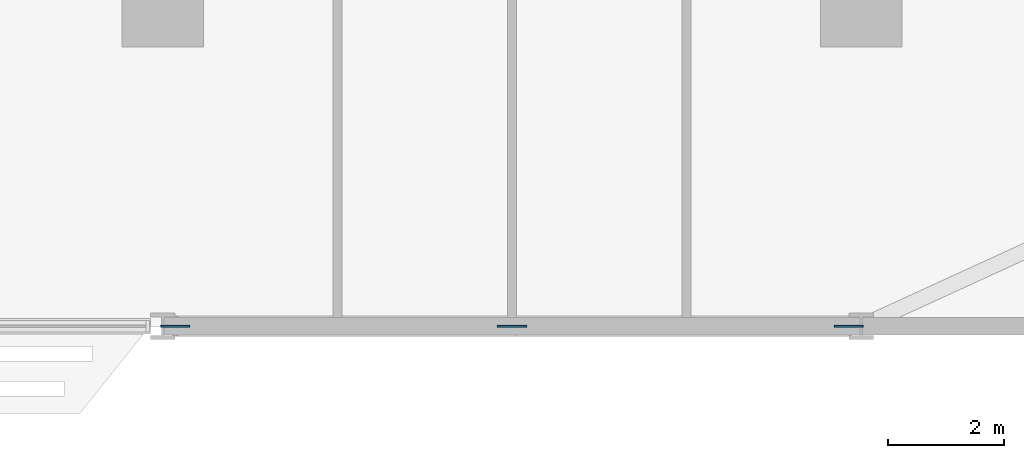
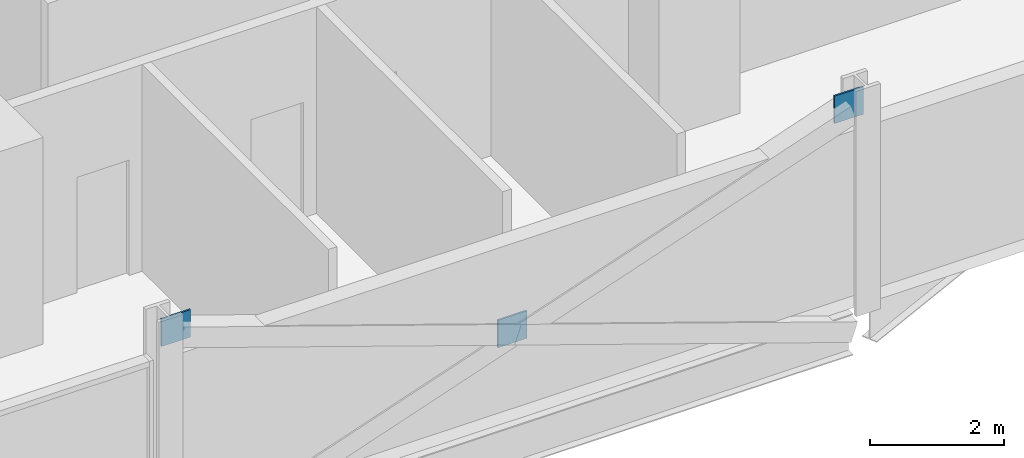
# One storey, part 21 of 29: 3 discrete accessories.
"""IFC4 building model written with IfcOpenShell, lengths in metres."""

from ifc_helpers import new_model, si_unit, direction, frame, origin, origin_2d, place, context, subcontext, project, spatial, rectangle, extrude, material, layer, layer_set, type_object, element, save


model = new_model("IFC4")

# Units and contexts
model_context = context("Model", 3, precision=1e-05, world=origin(), true_north=direction((0.0, 1.0)))
body_context = subcontext(model_context, "Body", "Model", "MODEL_VIEW")
ifc_project = project(units=[si_unit("LENGTHUNIT", "METRE"), si_unit("AREAUNIT", "SQUARE_METRE"), si_unit("VOLUMEUNIT", "CUBIC_METRE"), si_unit("PLANEANGLEUNIT", "RADIAN"), si_unit("MASSUNIT", "GRAM", prefix="KILO")], contexts=[model_context])

# Site, building, storey
site_placement = place(None, origin())
site = spatial("IfcSite", under=ifc_project, at=site_placement, CompositionType="ELEMENT")
building_placement = place(site_placement, origin())
building = spatial("IfcBuilding", under=site, at=building_placement, Name="Mahtab Terrace Research Tower", CompositionType="ELEMENT")
storey_placement = place(building_placement, frame((0.0, 0.0, 105.300048828125)))
storey = spatial("IfcBuildingStorey", under=building, at=storey_placement, Name="L24", CompositionType="ELEMENT", Elevation=105.300048828125)

# Discrete accessories
ifc_material = material(Name="Steel ASTM A992 Gr 50", Category="steel")
ifc_layer = layer(ifc_material, 0.030029296875)
ifc_layer_set = layer_set([ifc_layer], Name="Gusset plate 500x500x30")
discrete_accessory_type = type_object("IfcDiscreteAccessoryType", Name="Gusset plate 500x500x30", PredefinedType="USERDEFINED", material=ifc_layer_set)
for number, where, z_axis, x_axis, name in (
    (1, (30.209716796875, -17.0, 3.131591796875), (0.0, 0.0, 1.0), (1.0, 0.0, 0.0), "Gusset plate"),
    (2, (36.0, -17.0, 1.08154296875), (0.0, 0.0, 1.0), (1.0, 0.0, 0.0), "Gusset plate"),
    (3, (41.790283203125, -17.0, 3.131591796875), (0.0, 0.0, 1.0), (1.0, 0.0, 0.0), "Gusset plate"),
):
    element("IfcDiscreteAccessory", number, at=place(storey_placement, frame(where, z_axis=z_axis, x_axis=x_axis)), inside=storey, type_object=discrete_accessory_type, Name=name, ObjectType="GUSSET PLATE", PredefinedType="USERDEFINED", context=body_context, shape_type="SweptSolid", body=[
        extrude(rectangle(XDim=0.5, YDim=0.030029296875, at=origin_2d()), origin(), (0.0, 0.0, 1.0), 0.5),
    ])

save(model, "model.ifc")
